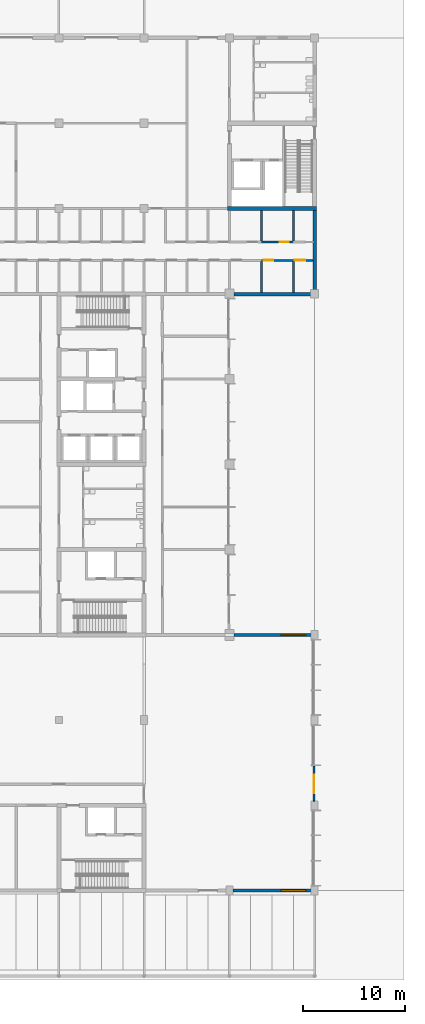
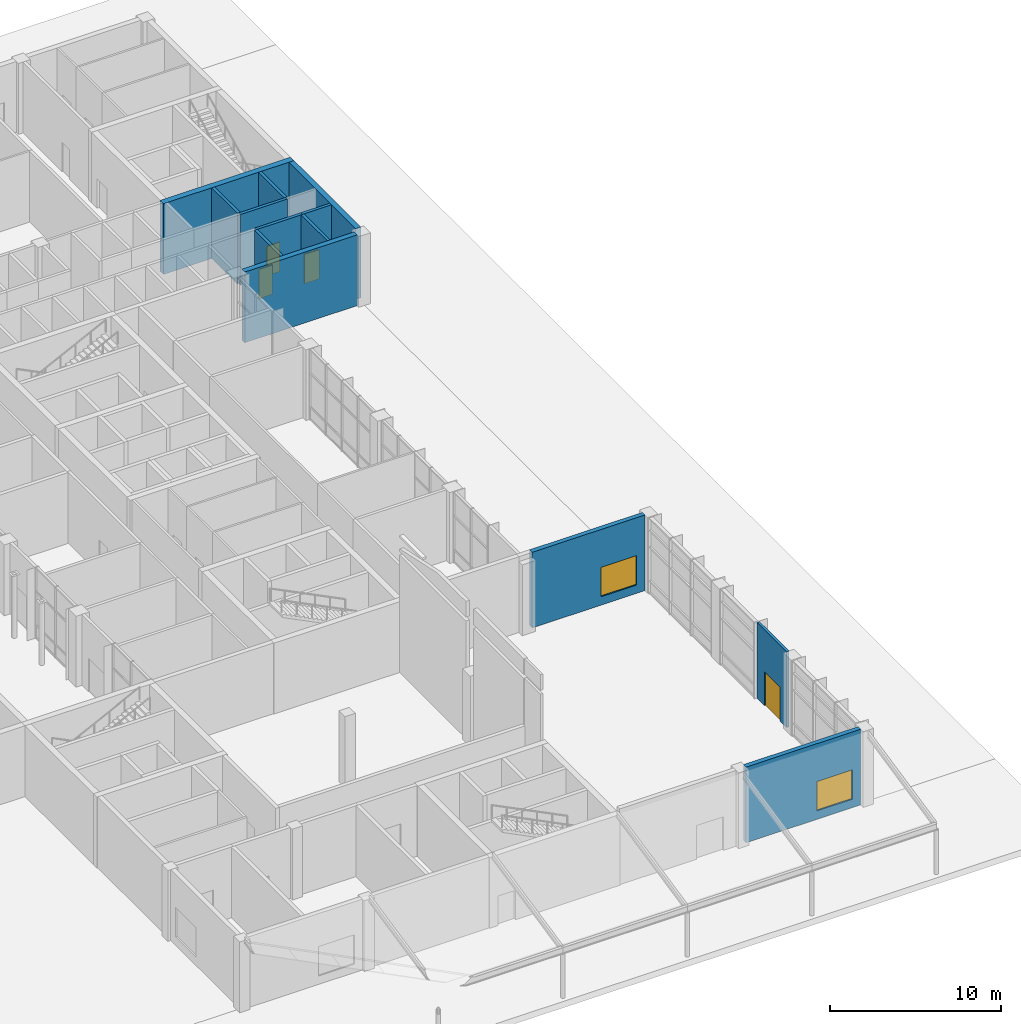
# One storey, part 50 of 76: 13 walls, 4 doors, 2 windows, 6 openings.
"""IFC4 building model written with IfcOpenShell, lengths in metres."""

from ifc_helpers import new_model, si_unit, direction, frame, frame_2d, origin, place, context, subcontext, project, spatial, rectangle, extrude, material, layer, layer_set, type_object, element, fill, save


model = new_model("IFC4")

# Units and contexts
model_context = context("Model", 3, precision=1e-05, world=origin(), true_north=direction((0.0, 1.0)))
body_context = subcontext(model_context, "Body", "Model", "MODEL_VIEW")
ifc_project = project(units=[si_unit("LENGTHUNIT", "METRE"), si_unit("AREAUNIT", "SQUARE_METRE"), si_unit("VOLUMEUNIT", "CUBIC_METRE"), si_unit("PLANEANGLEUNIT", "RADIAN"), si_unit("MASSUNIT", "GRAM", prefix="KILO")], contexts=[model_context])

# Site, building, storey
site_placement = place(None, origin())
site = spatial("IfcSite", under=ifc_project, at=site_placement, CompositionType="ELEMENT")
building_placement = place(site_placement, origin())
building = spatial("IfcBuilding", under=site, at=building_placement, Name="Hlaing Beacon Police Headquarters", CompositionType="ELEMENT")
storey_placement = place(building_placement, origin())
storey = spatial("IfcBuildingStorey", under=building, at=storey_placement, Name="L00", CompositionType="ELEMENT", Elevation=0.0)

# Wall
ifc_material_1 = material(Name="Concrete C60/75", Category="concrete")
ifc_layer_1 = layer(ifc_material_1, 0.39990234375)
ifc_layer_set_1 = layer_set([ifc_layer_1], Name="Concrete C60/75")
wall_type_1 = type_object("IfcWallType", Name="Core shear wall 400", PredefinedType="SHEAR", material=ifc_layer_set_1)
wall_1_placement = place(storey_placement, frame((125.800048828125, 75.60009765625, 0.0), z_axis=(0.0, 0.0, 1.0), x_axis=(1.0, 0.0, 0.0)))
element("IfcWall", 1, at=wall_1_placement, inside=storey, type_object=wall_type_1, Name="Core shear wall", PredefinedType="SHEAR", context=body_context, shape_type="SweptSolid", body=[
    extrude(rectangle(XDim=8.800048828125, YDim=0.39990234375, at=frame_2d((4.39990234375, 0.0))), origin(), (0.0, 0.0, 1.0), 5.050048828125),
])

# Wall, opening, door
ifc_material_2 = material(Name="Concrete blockwork 7.5 N/mm2", Category="masonry")
ifc_layer_2 = layer(ifc_material_2, 0.199951171875)
ifc_layer_set_2 = layer_set([ifc_layer_2], Name="Concrete blockwork 7.5 N/mm2")
wall_type_2 = type_object("IfcWallType", Name="Custody wall EI 60 200", PredefinedType="PARTITIONING", material=ifc_layer_set_2)
wall_2_placement = place(storey_placement, frame((132.300048828125, 70.5, 0.0), z_axis=(0.0, 0.0, 1.0), x_axis=(1.0, 0.0, 0.0)))
wall_2 = element("IfcWall", 2, at=wall_2_placement, inside=storey, type_object=wall_type_2, Name="Custody wall EI 60 200", PredefinedType="PARTITIONING", context=body_context, shape_type="SweptSolid", body=[
    extrude(rectangle(XDim=1.949951171875, YDim=0.199951171875, at=frame_2d((0.97509765625, 0.0))), origin(), (0.0, 0.0, 1.0), 5.050048828125),
])
opening_1_placement = place(wall_2_placement, frame((0.14990234375, 0.0, 0.0)))
opening_1 = element("IfcOpeningElement", 3, at=opening_1_placement, cuts=wall_2, Name="Opening L00-102", PredefinedType="OPENING", context=body_context, shape_type="SweptSolid", body=[
    extrude(rectangle(XDim=1.0, YDim=2.10009765625, at=frame_2d((0.5, 1.050048828125))), frame((0.0, 0.10986328125, 0.0), z_axis=(0.0, -1.0, 0.0), x_axis=(1.0, 0.0, 0.0)), (0.0, 0.0, 1.0), 0.219970703125),
])
ifc_material_3 = material(Name="Steel security door leaf", Category="steel")
ifc_layer_3 = layer(ifc_material_3, 0.090087890625)
ifc_layer_set_3 = layer_set([ifc_layer_3], Name="Steel security door leaf")
door_type_1 = type_object("IfcDoorType", Name="Steel security door FD60 1000x2100", OperationType="SINGLE_SWING_LEFT", PredefinedType="DOOR", material=ifc_layer_set_3)
door_1_placement = place(opening_1_placement, frame((1.0, 0.0, 0.0), z_axis=(0.0, 0.0, 1.0), x_axis=(-1.0, 0.0, 0.0)))
door_1 = element("IfcDoor", 4, at=door_1_placement, inside=storey, type_object=door_type_1, Name="Door Appropriate Adult Interview Room", OperationType="SINGLE_SWING_LEFT", OverallHeight=2.10009765625, OverallWidth=1.0, PredefinedType="DOOR", context=body_context, shape_type="SweptSolid", body=[
    extrude(rectangle(XDim=1.0, YDim=2.10009765625, at=frame_2d((0.5, 1.050048828125))), frame((0.0, 0.045166015625, 0.0), z_axis=(0.0, -1.0, 0.0), x_axis=(1.0, 0.0, 0.0)), (0.0, 0.0, 1.0), 0.090087890625),
])
fill(opening_1, door_1)

wall_3_placement = place(storey_placement, frame((129.14990234375, 72.300048828125, 0.0), z_axis=(0.0, 0.0, 1.0), x_axis=(1.0, 0.0, 0.0)))
wall_3 = element("IfcWall", 5, at=wall_3_placement, inside=storey, type_object=wall_type_2, Name="Custody wall EI 60 200", PredefinedType="PARTITIONING", context=body_context, shape_type="SweptSolid", body=[
    extrude(rectangle(XDim=3.150146484375, YDim=0.199951171875, at=frame_2d((1.5751953125, 0.0))), origin(), (0.0, 0.0, 1.0), 5.050048828125),
])
opening_2_placement = place(wall_3_placement, frame((1.800048828125, 0.0, 0.0)))
opening_2 = element("IfcOpeningElement", 6, at=opening_2_placement, cuts=wall_3, Name="Opening L00-104", PredefinedType="OPENING", context=body_context, shape_type="SweptSolid", body=[
    extrude(rectangle(XDim=0.89990234375, YDim=2.10009765625, at=frame_2d((0.449951171875, 1.050048828125))), frame((0.0, 0.10986328125, 0.0), z_axis=(0.0, -1.0, 0.0), x_axis=(1.0, 0.0, 0.0)), (0.0, 0.0, 1.0), 0.219970703125),
])
ifc_material_4 = material(Name="Steel security door leaf", Category="steel")
ifc_layer_4 = layer(ifc_material_4, 0.080078125)
ifc_layer_set_4 = layer_set([ifc_layer_4], Name="Steel security door leaf")
door_type_2 = type_object("IfcDoorType", Name="Steel cell door FD30 900x2100", OperationType="SINGLE_SWING_LEFT", PredefinedType="DOOR", material=ifc_layer_set_4)
door_2_placement = place(opening_2_placement, origin())
door_2 = element("IfcDoor", 7, at=door_2_placement, inside=storey, type_object=door_type_2, Name="Door Juvenile Cell 4", OperationType="SINGLE_SWING_LEFT", OverallHeight=2.10009765625, OverallWidth=0.89990234375, PredefinedType="DOOR", context=body_context, shape_type="SweptSolid", body=[
    extrude(rectangle(XDim=0.89990234375, YDim=2.10009765625, at=frame_2d((0.449951171875, 1.050048828125))), frame((0.0, 0.0400390625, 0.0), z_axis=(0.0, -1.0, 0.0), x_axis=(1.0, 0.0, 0.0)), (0.0, 0.0, 1.0), 0.080078125),
])
fill(opening_2, door_2)

wall_4_placement = place(storey_placement, frame((129.14990234375, 70.5, 0.0), z_axis=(0.0, 0.0, 1.0), x_axis=(1.0, 0.0, 0.0)))
wall_4 = element("IfcWall", 8, at=wall_4_placement, inside=storey, type_object=wall_type_2, Name="Custody wall EI 60 200", PredefinedType="PARTITIONING", context=body_context, shape_type="SweptSolid", body=[
    extrude(rectangle(XDim=3.150146484375, YDim=0.199951171875, at=frame_2d((1.5751953125, 0.0))), origin(), (0.0, 0.0, 1.0), 5.050048828125),
])
opening_3_placement = place(wall_4_placement, frame((0.25, 0.0, 0.0)))
opening_3 = element("IfcOpeningElement", 9, at=opening_3_placement, cuts=wall_4, Name="Opening L00-106", PredefinedType="OPENING", context=body_context, shape_type="SweptSolid", body=[
    extrude(rectangle(XDim=0.89990234375, YDim=2.10009765625, at=frame_2d((0.449951171875, 1.050048828125))), frame((0.0, 0.10986328125, 0.0), z_axis=(0.0, -1.0, 0.0), x_axis=(1.0, 0.0, 0.0)), (0.0, 0.0, 1.0), 0.219970703125),
])
door_3_placement = place(opening_3_placement, frame((0.89990234375, 0.0, 0.0), z_axis=(0.0, 0.0, 1.0), x_axis=(-1.0, 0.0, 0.0)))
door_3 = element("IfcDoor", 10, at=door_3_placement, inside=storey, type_object=door_type_2, Name="Door Juvenile Cell 2", OperationType="SINGLE_SWING_LEFT", OverallHeight=2.10009765625, OverallWidth=0.89990234375, PredefinedType="DOOR", context=body_context, shape_type="SweptSolid", body=[
    extrude(rectangle(XDim=0.89990234375, YDim=2.10009765625, at=frame_2d((0.449951171875, 1.050048828125))), frame((0.0, 0.0400390625, 0.0), z_axis=(0.0, -1.0, 0.0), x_axis=(1.0, 0.0, 0.0)), (0.0, 0.0, 1.0), 0.080078125),
])
fill(opening_3, door_3)

# Walls
wall_5_placement = place(storey_placement, frame((132.300048828125, 67.35009765625, 0.0), z_axis=(0.0, 0.0, 1.0), x_axis=(0.0, 1.0, 0.0)))
element("IfcWall", 11, at=wall_5_placement, inside=storey, type_object=wall_type_2, Name="Custody wall EI 60 200", PredefinedType="PARTITIONING", context=body_context, shape_type="SweptSolid", body=[
    extrude(rectangle(XDim=3.0498046875, YDim=0.199951171875, at=frame_2d((1.52490234375, 0.0))), origin(), (0.0, 0.0, 1.0), 5.050048828125),
])
for number, where, z_axis, x_axis, name in (
    (12, (129.14990234375, 72.39990234375, 0.0), (0.0, 0.0, 1.0), (0.0, 1.0, 0.0), "Custody wall EI 60 200"),
    (13, (132.300048828125, 72.39990234375, 0.0), (0.0, 0.0, 1.0), (0.0, 1.0, 0.0), "Custody wall EI 60 200"),
):
    element("IfcWall", number, at=place(storey_placement, frame(where, z_axis=z_axis, x_axis=x_axis)), inside=storey, type_object=wall_type_2, Name=name, PredefinedType="PARTITIONING", context=body_context, shape_type="SweptSolid", body=[
        extrude(rectangle(XDim=3.0, YDim=0.199951171875, at=frame_2d((1.5, 0.0))), origin(), (0.0, 0.0, 1.0), 5.050048828125),
    ])
wall_6_placement = place(storey_placement, frame((129.14990234375, 67.35009765625, 0.0), z_axis=(0.0, 0.0, 1.0), x_axis=(0.0, 1.0, 0.0)))
element("IfcWall", 14, at=wall_6_placement, inside=storey, type_object=wall_type_2, Name="Custody wall EI 60 200", PredefinedType="PARTITIONING", context=body_context, shape_type="SweptSolid", body=[
    extrude(rectangle(XDim=3.0498046875, YDim=0.199951171875, at=frame_2d((1.52490234375, 0.0))), origin(), (0.0, 0.0, 1.0), 5.050048828125),
])

# Wall, opening, door
ifc_material_5 = material(Name="Insulated aluminium panel infill", Category="aluminium")
ifc_layer_5 = layer(ifc_material_5, 0.175048828125)
ifc_layer_set_5 = layer_set([ifc_layer_5], Name="Insulated aluminium panel infill")
wall_type_3 = type_object("IfcWallType", Name="Insulated panel infill wall 175", PredefinedType="SOLIDWALL", material=ifc_layer_set_5)
wall_7_placement = place(storey_placement, frame((134.33740234375, 17.22998046875, 0.0), z_axis=(0.0, 0.0, 1.0), x_axis=(0.0, 1.0, 0.0)))
wall_7 = element("IfcWall", 15, at=wall_7_placement, inside=storey, type_object=wall_type_3, Name="External wall L00 E024", PredefinedType="SOLIDWALL", context=body_context, shape_type="SweptSolid", body=[
    extrude(rectangle(XDim=3.469970703125, YDim=0.175048828125, at=frame_2d((1.73486328125, 0.0))), origin(), (0.0, 0.0, 1.0), 5.39990234375),
])
opening_4_placement = place(wall_7_placement, frame((0.77001953125, 0.0, 0.0)))
opening_4 = element("IfcOpeningElement", 16, at=opening_4_placement, cuts=wall_7, Name="Opening L00-808", PredefinedType="OPENING", context=body_context, shape_type="SweptSolid", body=[
    extrude(rectangle(XDim=1.800048828125, YDim=2.39990234375, at=frame_2d((0.89990234375, 1.199951171875))), frame((0.0, 0.09765625, 0.0), z_axis=(0.0, -1.0, 0.0), x_axis=(1.0, 0.0, 0.0)), (0.0, 0.0, 1.0), 0.195068359375),
])
ifc_material_6 = material(Name="Aluminium framed glazed door", Category="aluminium")
door_type_3 = type_object("IfcDoorType", Name="Entrance door 1800x2400 double", OperationType="DOUBLE_DOOR_DOUBLE_SWING", PredefinedType="DOOR", material=ifc_material_6)
door_4_placement = place(opening_4_placement, frame((1.800048828125, 0.0, 0.0), z_axis=(0.0, 0.0, 1.0), x_axis=(-1.0, 0.0, 0.0)))
door_4 = element("IfcDoor", 17, at=door_4_placement, inside=storey, type_object=door_type_3, Name="Door Gymnasium Hall", OperationType="DOUBLE_DOOR_DOUBLE_SWING", OverallHeight=2.39990234375, OverallWidth=1.800048828125, PredefinedType="DOOR", context=body_context, shape_type="SweptSolid", body=[
    extrude(rectangle(XDim=1.800048828125, YDim=2.39990234375, at=frame_2d((0.900146484375, 1.199951171875))), frame((0.0, 0.025146484375, 0.0), z_axis=(0.0, -1.0, 0.0), x_axis=(1.0, 0.0, 0.0)), (0.0, 0.0, 1.0), 0.050048828125),
])
fill(opening_4, door_4)

# Wall, opening, window
ifc_material_7 = material(Name="Concrete C40/50 precast ribbed cladding", Category="concrete")
ifc_layer_6 = layer(ifc_material_7, 0.300048828125)
ifc_layer_set_6 = layer_set([ifc_layer_6], Name="Concrete C40/50 precast ribbed cladding")
wall_type_4 = type_object("IfcWallType", Name="Precast ribbed wall 300", PredefinedType="SOLIDWALL", material=ifc_layer_set_6)
wall_8_placement = place(storey_placement, frame((126.330078125, 8.39990234375, 0.0), z_axis=(0.0, 0.0, 1.0), x_axis=(1.0, 0.0, 0.0)))
wall_8 = element("IfcWall", 18, at=wall_8_placement, inside=storey, type_object=wall_type_4, Name="External wall L00 S023", PredefinedType="SOLIDWALL", context=body_context, shape_type="SweptSolid", body=[
    extrude(rectangle(XDim=7.739990234375, YDim=0.300048828125, at=frame_2d((3.8701171875, 0.0))), origin(), (0.0, 0.0, 1.0), 5.39990234375),
])
opening_5_placement = place(wall_8_placement, frame((4.77001953125, 0.0, 0.60009765625)))
opening_5 = element("IfcOpeningElement", 19, at=opening_5_placement, cuts=wall_8, Name="Opening WN8", PredefinedType="OPENING", context=body_context, shape_type="SweptSolid", body=[
    extrude(rectangle(XDim=2.39990234375, YDim=2.10009765625, at=frame_2d((1.199951171875, 1.050048828125))), frame((0.0, 0.16015625, 0.0), z_axis=(0.0, -1.0, 0.0), x_axis=(1.0, 0.0, 0.0)), (0.0, 0.0, 1.0), 0.320068359375),
])
ifc_material_8 = material(Name="Aluminium louvre blades", Category="aluminium")
window_type = type_object("IfcWindowType", Name="Louvred bay 2400 2400x2100 frame 120", PartitioningType="SINGLE_PANEL", PredefinedType="WINDOW", material=ifc_material_8)
window_1_placement = place(opening_5_placement, origin())
window_1 = element("IfcWindow", 20, at=window_1_placement, inside=storey, type_object=window_type, Name="Louvre L00 WL3", OverallHeight=2.10009765625, OverallWidth=2.39990234375, PartitioningType="SINGLE_PANEL", PredefinedType="WINDOW", context=body_context, shape_type="SweptSolid", body=[
    extrude(rectangle(XDim=2.39990234375, YDim=2.10009765625, at=frame_2d((1.199951171875, 1.050048828125))), frame((0.0, 0.06005859375, 0.0), z_axis=(0.0, -1.0, 0.0), x_axis=(1.0, 0.0, 0.0)), (0.0, 0.0, 1.0), 0.1201171875),
])
fill(opening_5, window_1)

wall_9_placement = place(storey_placement, frame((134.070068359375, 33.60009765625, 0.0), z_axis=(0.0, 0.0, 1.0), x_axis=(-1.0, 0.0, 0.0)))
wall_9 = element("IfcWall", 21, at=wall_9_placement, inside=storey, type_object=wall_type_4, Name="External wall L00 N025", PredefinedType="SOLIDWALL", context=body_context, shape_type="SweptSolid", body=[
    extrude(rectangle(XDim=7.6201171875, YDim=0.300048828125, at=frame_2d((3.81005859375, 0.0))), origin(), (0.0, 0.0, 1.0), 5.39990234375),
])
opening_6_placement = place(wall_9_placement, frame((0.570068359375, 0.0, 0.60009765625)))
opening_6 = element("IfcOpeningElement", 22, at=opening_6_placement, cuts=wall_9, Name="Opening WN8", PredefinedType="OPENING", context=body_context, shape_type="SweptSolid", body=[
    extrude(rectangle(XDim=2.39990234375, YDim=2.10009765625, at=frame_2d((1.199951171875, 1.050048828125))), frame((0.0, 0.16015625, 0.0), z_axis=(0.0, -1.0, 0.0), x_axis=(1.0, 0.0, 0.0)), (0.0, 0.0, 1.0), 0.320068359375),
])
window_2_placement = place(opening_6_placement, origin())
window_2 = element("IfcWindow", 23, at=window_2_placement, inside=storey, type_object=window_type, Name="Louvre L00 WL3", OverallHeight=2.10009765625, OverallWidth=2.39990234375, PartitioningType="SINGLE_PANEL", PredefinedType="WINDOW", context=body_context, shape_type="SweptSolid", body=[
    extrude(rectangle(XDim=2.39990234375, YDim=2.10009765625, at=frame_2d((1.199951171875, 1.050048828125))), frame((0.0, 0.06005859375, 0.0), z_axis=(0.0, -1.0, 0.0), x_axis=(1.0, 0.0, 0.0)), (0.0, 0.0, 1.0), 0.1201171875),
])
fill(opening_6, window_2)

# Walls
ifc_material_9 = material(Name="Concrete C40/50 precast with security mesh", Category="concrete")
ifc_layer_7 = layer(ifc_material_9, 0.35009765625)
ifc_layer_set_7 = layer_set([ifc_layer_7], Name="Concrete C40/50 precast with security mesh")
wall_type_5 = type_object("IfcWallType", Name="Precast security wall 350", PredefinedType="SOLIDWALL", material=ifc_layer_set_7)
wall_10_placement = place(storey_placement, frame((126.429931640625, 67.175048828125, 0.0), z_axis=(0.0, 0.0, 1.0), x_axis=(1.0, 0.0, 0.0)))
element("IfcWall", 24, at=wall_10_placement, inside=storey, type_object=wall_type_5, Name="External wall L00 S029", PredefinedType="SOLIDWALL", context=body_context, shape_type="SweptSolid", body=[
    extrude(rectangle(XDim=7.590087890625, YDim=0.35009765625, at=frame_2d((3.794921875, 0.0))), origin(), (0.0, 0.0, 1.0), 5.050048828125),
])
wall_11_placement = place(storey_placement, frame((134.425048828125, 67.580078125, 0.0), z_axis=(0.0, 0.0, 1.0), x_axis=(0.0, 1.0, 0.0)))
element("IfcWall", 25, at=wall_11_placement, inside=storey, type_object=wall_type_5, Name="External wall L00 E030", PredefinedType="SOLIDWALL", context=body_context, shape_type="SweptSolid", body=[
    extrude(rectangle(XDim=7.81982421875, YDim=0.35009765625, at=frame_2d((3.909912109375, 0.0))), origin(), (0.0, 0.0, 1.0), 5.050048828125),
])

save(model, "model.ifc")
